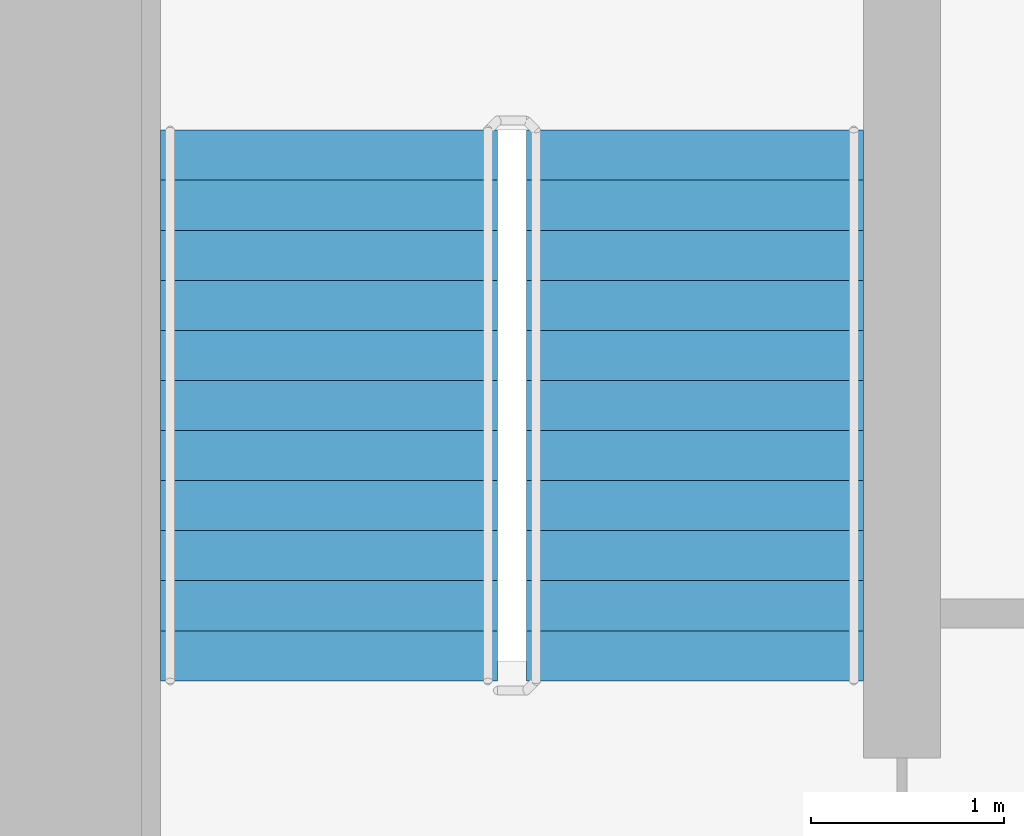
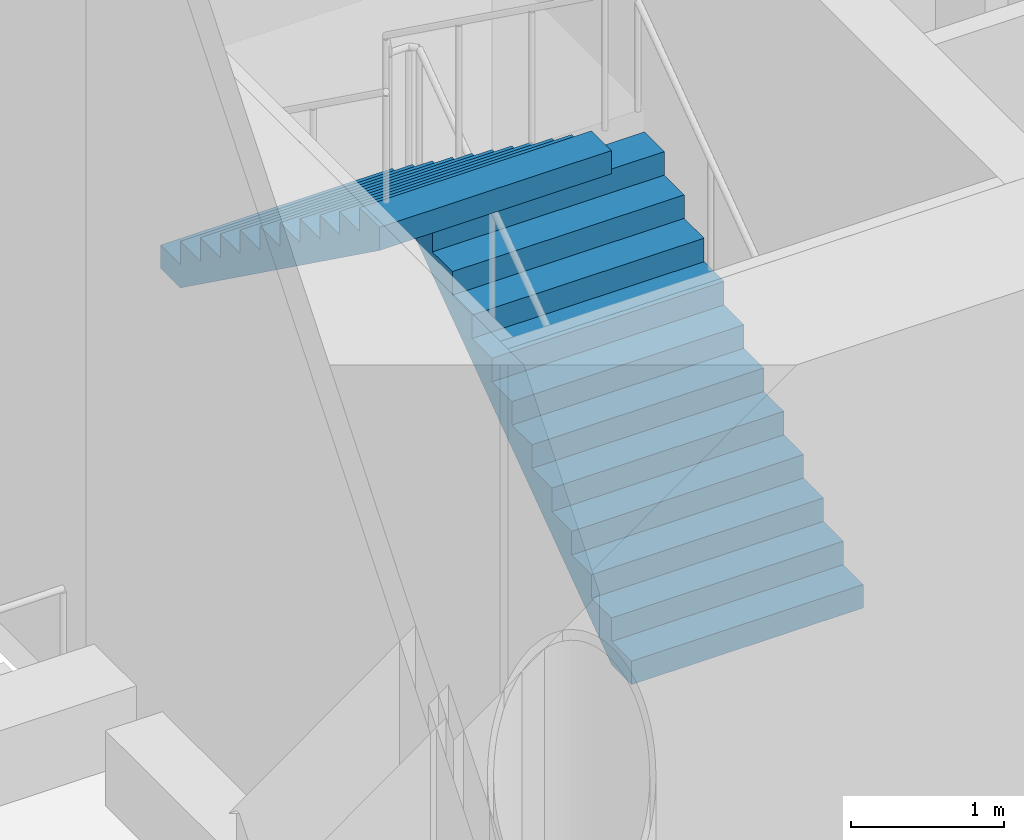
# One storey, part 22 of 27: 2 stair flights, 1 element without a shape of its own.
"""IFC4 building model written with IfcOpenShell, lengths in metres."""

from ifc_helpers import new_model, si_unit, direction, frame, origin, place, context, subcontext, project, spatial, faceted_brep, material, type_object, element, aggregate, save


model = new_model("IFC4")

# Units and contexts
model_context = context("Model", 3, precision=1e-05, world=origin(), true_north=direction((0.0, 1.0)))
body_context = subcontext(model_context, "Body", "Model", "MODEL_VIEW")
ifc_project = project(units=[si_unit("LENGTHUNIT", "METRE"), si_unit("AREAUNIT", "SQUARE_METRE"), si_unit("VOLUMEUNIT", "CUBIC_METRE"), si_unit("PLANEANGLEUNIT", "RADIAN"), si_unit("MASSUNIT", "GRAM", prefix="KILO")], contexts=[model_context])

# Site, building, storey
site_placement = place(None, origin())
site = spatial("IfcSite", under=ifc_project, at=site_placement, CompositionType="ELEMENT")
building_placement = place(site_placement, origin())
building = spatial("IfcBuilding", under=site, at=building_placement, Name="Ipe Terrace Towers", CompositionType="ELEMENT")
storey_placement = place(building_placement, frame((0.0, 0.0, 72.10009765625)))
storey = spatial("IfcBuildingStorey", under=building, at=storey_placement, Name="L19", CompositionType="ELEMENT", Elevation=72.10009765625)

# Stair, stair flights
ifc_material_1 = material(Name="Concrete C30/37", Category="concrete")
stair_type = type_object("IfcStairType", Name="Protected exit stair", PredefinedType="HALF_TURN_STAIR", material=ifc_material_1)
stair_placement = place(storey_placement, origin())
stair = element("IfcStair", 1, at=stair_placement, inside=storey, type_object=stair_type, Name="L19 Exit stair T2-C1", PredefinedType="HALF_TURN_STAIR")
ifc_material_2 = material(Name="Concrete C30/37", Category="concrete")
stair_flight_type = type_object("IfcStairFlightType", Name="Exit stair flight 1750", PredefinedType="STRAIGHT", material=ifc_material_2)
stair_flight_1_placement = place(storey_placement, frame((33.22509765625, 9.699951171875, 0.0), z_axis=(0.0, 0.0, 1.0), x_axis=(0.0, 1.0, 0.0)))
stair_flight_1 = element("IfcStairFlight", 2, at=stair_flight_1_placement, type_object=stair_flight_type, Name="T2-ST1 flight 1", NumberOfRisers=12, NumberOfTreads=11, PredefinedType="STRAIGHT", RiserHeight=0.1875, TreadLength=0.26, context=body_context, shape_type="Brep", body=[
    faceted_brep([(0.25634765625, -0.875, 0.0), (2.860107421875, -0.875, 1.877685546875), (2.860107421875, -0.875, 2.0625), (2.60009765625, -0.875, 2.0625), (2.60009765625, -0.875, 1.875), (2.340087890625, -0.875, 1.875), (2.340087890625, -0.875, 1.6875), (2.080078125, -0.875, 1.6875), (2.080078125, -0.875, 1.5), (1.820068359375, -0.875, 1.5), (1.820068359375, -0.875, 1.3125), (1.56005859375, -0.875, 1.3125), (1.56005859375, -0.875, 1.125), (1.300048828125, -0.875, 1.125), (1.300048828125, -0.875, 0.9375), (1.0400390625, -0.875, 0.9375), (1.0400390625, -0.875, 0.75), (0.780029296875, -0.875, 0.75), (0.780029296875, -0.875, 0.5625), (0.52001953125, -0.875, 0.5625), (0.52001953125, -0.875, 0.375), (0.260009765625, -0.875, 0.375), (0.260009765625, -0.875, 0.1875), (0.0, -0.875, 0.1875), (0.0, -0.875, 0.0), (0.0, 0.875, 0.0), (0.0, 0.875, 0.1875), (0.260009765625, 0.875, 0.1875), (0.260009765625, 0.875, 0.375), (0.52001953125, 0.875, 0.375), (0.52001953125, 0.875, 0.5625), (0.780029296875, 0.875, 0.5625), (0.780029296875, 0.875, 0.75), (1.0400390625, 0.875, 0.75), (1.0400390625, 0.875, 0.9375), (1.300048828125, 0.875, 0.9375), (1.300048828125, 0.875, 1.125), (1.56005859375, 0.875, 1.125), (1.56005859375, 0.875, 1.3125), (1.820068359375, 0.875, 1.3125), (1.820068359375, 0.875, 1.5), (2.080078125, 0.875, 1.5), (2.080078125, 0.875, 1.6875), (2.340087890625, 0.875, 1.6875), (2.340087890625, 0.875, 1.875), (2.60009765625, 0.875, 1.875), (2.60009765625, 0.875, 2.0625), (2.860107421875, 0.875, 2.0625), (2.860107421875, 0.875, 1.877685546875), (0.25634765625, 0.875, 0.0), (0.0, -0.300048828125, 0.1875), (0.0, -0.1201171875, 0.1875), (0.0, -0.06005859375, 0.1875), (0.0, -0.030029296875, 0.1875), (0.0, -0.010009765625, 0.1875), (0.0, 0.0, 0.1875), (0.0, 0.010009765625, 0.1875), (0.0, 0.030029296875, 0.1875), (0.0, 0.06005859375, 0.1875), (0.0, 0.1201171875, 0.1875), (0.0, 0.300048828125, 0.1875), (0.0, 0.300048828125, 0.0), (0.0, 0.1201171875, 0.0), (0.0, 0.06005859375, 0.0), (0.0, 0.030029296875, 0.0), (0.0, 0.010009765625, 0.0), (0.0, 0.0, 0.0), (0.0, -0.010009765625, 0.0), (0.0, -0.030029296875, 0.0), (0.0, -0.06005859375, 0.0), (0.0, -0.1201171875, 0.0), (0.0, -0.300048828125, 0.0), (0.260009765625, -0.300048828125, 0.1875), (0.260009765625, -0.1201171875, 0.1875), (0.260009765625, -0.06005859375, 0.1875), (0.260009765625, -0.030029296875, 0.1875), (0.260009765625, -0.010009765625, 0.1875), (0.260009765625, 0.0, 0.1875), (0.260009765625, 0.010009765625, 0.1875), (0.260009765625, 0.030029296875, 0.1875), (0.260009765625, 0.06005859375, 0.1875), (0.260009765625, 0.1201171875, 0.1875), (0.260009765625, 0.300048828125, 0.1875), (0.260009765625, -0.300048828125, 0.375), (0.260009765625, -0.1201171875, 0.375), (0.260009765625, -0.06005859375, 0.375), (0.260009765625, -0.030029296875, 0.375), (0.260009765625, -0.010009765625, 0.375), (0.260009765625, 0.0, 0.375), (0.260009765625, 0.010009765625, 0.375), (0.260009765625, 0.030029296875, 0.375), (0.260009765625, 0.06005859375, 0.375), (0.260009765625, 0.1201171875, 0.375), (0.260009765625, 0.300048828125, 0.375), (0.52001953125, -0.300048828125, 0.375), (0.52001953125, -0.1201171875, 0.375), (0.52001953125, -0.06005859375, 0.375), (0.52001953125, -0.030029296875, 0.375), (0.52001953125, -0.010009765625, 0.375), (0.52001953125, 0.0, 0.375), (0.52001953125, 0.010009765625, 0.375), (0.52001953125, 0.030029296875, 0.375), (0.52001953125, 0.06005859375, 0.375), (0.52001953125, 0.1201171875, 0.375), (0.52001953125, 0.300048828125, 0.375), (0.52001953125, -0.300048828125, 0.5625), (0.52001953125, -0.1201171875, 0.5625), (0.52001953125, -0.06005859375, 0.5625), (0.52001953125, -0.030029296875, 0.5625), (0.52001953125, -0.010009765625, 0.5625), (0.52001953125, 0.0, 0.5625), (0.52001953125, 0.010009765625, 0.5625), (0.52001953125, 0.030029296875, 0.5625), (0.52001953125, 0.06005859375, 0.5625), (0.52001953125, 0.1201171875, 0.5625), (0.52001953125, 0.300048828125, 0.5625), (0.780029296875, -0.300048828125, 0.5625), (0.780029296875, -0.1201171875, 0.5625), (0.780029296875, -0.06005859375, 0.5625), (0.780029296875, -0.030029296875, 0.5625), (0.780029296875, -0.010009765625, 0.5625), (0.780029296875, 0.0, 0.5625), (0.780029296875, 0.010009765625, 0.5625), (0.780029296875, 0.030029296875, 0.5625), (0.780029296875, 0.06005859375, 0.5625), (0.780029296875, 0.1201171875, 0.5625), (0.780029296875, 0.300048828125, 0.5625), (0.780029296875, -0.300048828125, 0.75), (0.780029296875, -0.1201171875, 0.75), (0.780029296875, -0.06005859375, 0.75), (0.780029296875, -0.030029296875, 0.75), (0.780029296875, -0.010009765625, 0.75), (0.780029296875, 0.0, 0.75), (0.780029296875, 0.010009765625, 0.75), (0.780029296875, 0.030029296875, 0.75), (0.780029296875, 0.06005859375, 0.75), (0.780029296875, 0.1201171875, 0.75), (0.780029296875, 0.300048828125, 0.75), (1.0400390625, -0.300048828125, 0.75), (1.0400390625, -0.1201171875, 0.75), (1.0400390625, -0.06005859375, 0.75), (1.0400390625, -0.030029296875, 0.75), (1.0400390625, -0.010009765625, 0.75), (1.0400390625, 0.0, 0.75), (1.0400390625, 0.010009765625, 0.75), (1.0400390625, 0.030029296875, 0.75), (1.0400390625, 0.06005859375, 0.75), (1.0400390625, 0.1201171875, 0.75), (1.0400390625, 0.300048828125, 0.75), (1.0400390625, -0.300048828125, 0.9375), (1.0400390625, -0.1201171875, 0.9375), (1.0400390625, -0.06005859375, 0.9375), (1.0400390625, -0.030029296875, 0.9375), (1.0400390625, -0.010009765625, 0.9375), (1.0400390625, 0.0, 0.9375), (1.0400390625, 0.010009765625, 0.9375), (1.0400390625, 0.030029296875, 0.9375), (1.0400390625, 0.06005859375, 0.9375), (1.0400390625, 0.1201171875, 0.9375), (1.0400390625, 0.300048828125, 0.9375), (1.300048828125, -0.300048828125, 0.9375), (1.300048828125, -0.1201171875, 0.9375), (1.300048828125, -0.06005859375, 0.9375), (1.300048828125, -0.030029296875, 0.9375), (1.300048828125, -0.010009765625, 0.9375), (1.300048828125, 0.0, 0.9375), (1.300048828125, 0.010009765625, 0.9375), (1.300048828125, 0.030029296875, 0.9375), (1.300048828125, 0.06005859375, 0.9375), (1.300048828125, 0.1201171875, 0.9375), (1.300048828125, 0.300048828125, 0.9375), (1.300048828125, -0.300048828125, 1.125), (1.300048828125, -0.1201171875, 1.125), (1.300048828125, -0.06005859375, 1.125), (1.300048828125, -0.030029296875, 1.125), (1.300048828125, -0.010009765625, 1.125), (1.300048828125, 0.0, 1.125), (1.300048828125, 0.010009765625, 1.125), (1.300048828125, 0.030029296875, 1.125), (1.300048828125, 0.06005859375, 1.125), (1.300048828125, 0.1201171875, 1.125), (1.300048828125, 0.300048828125, 1.125), (1.56005859375, -0.300048828125, 1.125), (1.56005859375, -0.1201171875, 1.125), (1.56005859375, -0.06005859375, 1.125), (1.56005859375, -0.030029296875, 1.125), (1.56005859375, -0.010009765625, 1.125), (1.56005859375, 0.0, 1.125), (1.56005859375, 0.010009765625, 1.125), (1.56005859375, 0.030029296875, 1.125), (1.56005859375, 0.06005859375, 1.125), (1.56005859375, 0.1201171875, 1.125), (1.56005859375, 0.300048828125, 1.125), (1.56005859375, -0.300048828125, 1.3125), (1.56005859375, -0.1201171875, 1.3125), (1.56005859375, -0.06005859375, 1.3125), (1.56005859375, -0.030029296875, 1.3125), (1.56005859375, -0.010009765625, 1.3125), (1.56005859375, 0.0, 1.3125), (1.56005859375, 0.010009765625, 1.3125), (1.56005859375, 0.030029296875, 1.3125), (1.56005859375, 0.06005859375, 1.3125), (1.56005859375, 0.1201171875, 1.3125), (1.56005859375, 0.300048828125, 1.3125), (1.820068359375, -0.300048828125, 1.3125), (1.820068359375, -0.1201171875, 1.3125), (1.820068359375, -0.06005859375, 1.3125), (1.820068359375, -0.030029296875, 1.3125), (1.820068359375, -0.010009765625, 1.3125), (1.820068359375, 0.0, 1.3125), (1.820068359375, 0.010009765625, 1.3125), (1.820068359375, 0.030029296875, 1.3125), (1.820068359375, 0.06005859375, 1.3125), (1.820068359375, 0.1201171875, 1.3125), (1.820068359375, 0.300048828125, 1.3125), (1.820068359375, -0.300048828125, 1.5), (1.820068359375, -0.1201171875, 1.5), (1.820068359375, -0.06005859375, 1.5), (1.820068359375, -0.030029296875, 1.5), (1.820068359375, -0.010009765625, 1.5), (1.820068359375, 0.0, 1.5), (1.820068359375, 0.010009765625, 1.5), (1.820068359375, 0.030029296875, 1.5), (1.820068359375, 0.06005859375, 1.5), (1.820068359375, 0.1201171875, 1.5), (1.820068359375, 0.300048828125, 1.5), (2.080078125, -0.300048828125, 1.5), (2.080078125, -0.1201171875, 1.5), (2.080078125, -0.06005859375, 1.5), (2.080078125, -0.030029296875, 1.5), (2.080078125, -0.010009765625, 1.5), (2.080078125, 0.0, 1.5), (2.080078125, 0.010009765625, 1.5), (2.080078125, 0.030029296875, 1.5), (2.080078125, 0.06005859375, 1.5), (2.080078125, 0.1201171875, 1.5), (2.080078125, 0.300048828125, 1.5), (2.080078125, -0.300048828125, 1.6875), (2.080078125, -0.1201171875, 1.6875), (2.080078125, -0.06005859375, 1.6875), (2.080078125, -0.030029296875, 1.6875), (2.080078125, -0.010009765625, 1.6875), (2.080078125, 0.0, 1.6875), (2.080078125, 0.010009765625, 1.6875), (2.080078125, 0.030029296875, 1.6875), (2.080078125, 0.06005859375, 1.6875), (2.080078125, 0.1201171875, 1.6875), (2.080078125, 0.300048828125, 1.6875), (2.340087890625, -0.300048828125, 1.6875), (2.340087890625, -0.1201171875, 1.6875), (2.340087890625, -0.06005859375, 1.6875), (2.340087890625, -0.030029296875, 1.6875), (2.340087890625, -0.010009765625, 1.6875), (2.340087890625, 0.0, 1.6875), (2.340087890625, 0.010009765625, 1.6875), (2.340087890625, 0.030029296875, 1.6875), (2.340087890625, 0.06005859375, 1.6875), (2.340087890625, 0.1201171875, 1.6875), (2.340087890625, 0.300048828125, 1.6875), (2.340087890625, -0.300048828125, 1.875), (2.340087890625, -0.1201171875, 1.875), (2.340087890625, -0.06005859375, 1.875), (2.340087890625, -0.030029296875, 1.875), (2.340087890625, -0.010009765625, 1.875), (2.340087890625, 0.0, 1.875), (2.340087890625, 0.010009765625, 1.875), (2.340087890625, 0.030029296875, 1.875), (2.340087890625, 0.06005859375, 1.875), (2.340087890625, 0.1201171875, 1.875), (2.340087890625, 0.300048828125, 1.875), (2.60009765625, -0.300048828125, 1.875), (2.60009765625, -0.1201171875, 1.875), (2.60009765625, -0.06005859375, 1.875), (2.60009765625, -0.030029296875, 1.875), (2.60009765625, -0.010009765625, 1.875), (2.60009765625, 0.0, 1.875), (2.60009765625, 0.010009765625, 1.875), (2.60009765625, 0.030029296875, 1.875), (2.60009765625, 0.06005859375, 1.875), (2.60009765625, 0.1201171875, 1.875), (2.60009765625, 0.300048828125, 1.875), (2.60009765625, -0.300048828125, 2.0625), (2.60009765625, -0.1201171875, 2.0625), (2.60009765625, -0.06005859375, 2.0625), (2.60009765625, -0.030029296875, 2.0625), (2.60009765625, -0.010009765625, 2.0625), (2.60009765625, 0.0, 2.0625), (2.60009765625, 0.010009765625, 2.0625), (2.60009765625, 0.030029296875, 2.0625), (2.60009765625, 0.06005859375, 2.0625), (2.60009765625, 0.1201171875, 2.0625), (2.60009765625, 0.300048828125, 2.0625), (2.860107421875, -0.300048828125, 2.0625), (2.860107421875, -0.1201171875, 2.0625), (2.860107421875, -0.06005859375, 2.0625), (2.860107421875, -0.030029296875, 2.0625), (2.860107421875, -0.010009765625, 2.0625), (2.860107421875, 0.0, 2.0625), (2.860107421875, 0.010009765625, 2.0625), (2.860107421875, 0.030029296875, 2.0625), (2.860107421875, 0.06005859375, 2.0625), (2.860107421875, 0.1201171875, 2.0625), (2.860107421875, 0.300048828125, 2.0625), (2.860107421875, -0.300048828125, 1.877685546875), (2.860107421875, -0.1201171875, 1.877685546875), (2.860107421875, -0.06005859375, 1.877685546875), (2.860107421875, -0.030029296875, 1.877685546875), (2.860107421875, -0.010009765625, 1.877685546875), (2.860107421875, 0.0, 1.877685546875), (2.860107421875, 0.010009765625, 1.877685546875), (2.860107421875, 0.030029296875, 1.877685546875), (2.860107421875, 0.06005859375, 1.877685546875), (2.860107421875, 0.1201171875, 1.877685546875), (2.860107421875, 0.300048828125, 1.877685546875), (0.25634765625, -0.300048828125, 0.0), (0.25634765625, -0.1201171875, 0.0), (0.25634765625, -0.06005859375, 0.0), (0.25634765625, -0.030029296875, 0.0), (0.25634765625, -0.010009765625, 0.0), (0.25634765625, 0.0, 0.0), (0.25634765625, 0.010009765625, 0.0), (0.25634765625, 0.030029296875, 0.0), (0.25634765625, 0.06005859375, 0.0), (0.25634765625, 0.1201171875, 0.0), (0.25634765625, 0.300048828125, 0.0)], [[[0, 1, 2, 3, 4, 5, 6, 7, 8, 9, 10, 11, 12, 13, 14, 15, 16, 17, 18, 19, 20, 21, 22, 23, 24]], [[25, 26, 27, 28, 29, 30, 31, 32, 33, 34, 35, 36, 37, 38, 39, 40, 41, 42, 43, 44, 45, 46, 47, 48, 49]], [[23, 50, 51, 52, 53, 54, 55, 56, 57, 58, 59, 60, 26, 25, 61, 62, 63, 64, 65, 66, 67, 68, 69, 70, 71, 24]], [[22, 72, 73, 74, 75, 76, 77, 78, 79, 80, 81, 82, 27, 26, 60, 59, 58, 57, 56, 55, 54, 53, 52, 51, 50, 23]], [[21, 83, 84, 85, 86, 87, 88, 89, 90, 91, 92, 93, 28, 27, 82, 81, 80, 79, 78, 77, 76, 75, 74, 73, 72, 22]], [[20, 94, 95, 96, 97, 98, 99, 100, 101, 102, 103, 104, 29, 28, 93, 92, 91, 90, 89, 88, 87, 86, 85, 84, 83, 21]], [[19, 105, 106, 107, 108, 109, 110, 111, 112, 113, 114, 115, 30, 29, 104, 103, 102, 101, 100, 99, 98, 97, 96, 95, 94, 20]], [[18, 116, 117, 118, 119, 120, 121, 122, 123, 124, 125, 126, 31, 30, 115, 114, 113, 112, 111, 110, 109, 108, 107, 106, 105, 19]], [[17, 127, 128, 129, 130, 131, 132, 133, 134, 135, 136, 137, 32, 31, 126, 125, 124, 123, 122, 121, 120, 119, 118, 117, 116, 18]], [[16, 138, 139, 140, 141, 142, 143, 144, 145, 146, 147, 148, 33, 32, 137, 136, 135, 134, 133, 132, 131, 130, 129, 128, 127, 17]], [[15, 149, 150, 151, 152, 153, 154, 155, 156, 157, 158, 159, 34, 33, 148, 147, 146, 145, 144, 143, 142, 141, 140, 139, 138, 16]], [[14, 160, 161, 162, 163, 164, 165, 166, 167, 168, 169, 170, 35, 34, 159, 158, 157, 156, 155, 154, 153, 152, 151, 150, 149, 15]], [[13, 171, 172, 173, 174, 175, 176, 177, 178, 179, 180, 181, 36, 35, 170, 169, 168, 167, 166, 165, 164, 163, 162, 161, 160, 14]], [[12, 182, 183, 184, 185, 186, 187, 188, 189, 190, 191, 192, 37, 36, 181, 180, 179, 178, 177, 176, 175, 174, 173, 172, 171, 13]], [[11, 193, 194, 195, 196, 197, 198, 199, 200, 201, 202, 203, 38, 37, 192, 191, 190, 189, 188, 187, 186, 185, 184, 183, 182, 12]], [[10, 204, 205, 206, 207, 208, 209, 210, 211, 212, 213, 214, 39, 38, 203, 202, 201, 200, 199, 198, 197, 196, 195, 194, 193, 11]], [[9, 215, 216, 217, 218, 219, 220, 221, 222, 223, 224, 225, 40, 39, 214, 213, 212, 211, 210, 209, 208, 207, 206, 205, 204, 10]], [[8, 226, 227, 228, 229, 230, 231, 232, 233, 234, 235, 236, 41, 40, 225, 224, 223, 222, 221, 220, 219, 218, 217, 216, 215, 9]], [[7, 237, 238, 239, 240, 241, 242, 243, 244, 245, 246, 247, 42, 41, 236, 235, 234, 233, 232, 231, 230, 229, 228, 227, 226, 8]], [[6, 248, 249, 250, 251, 252, 253, 254, 255, 256, 257, 258, 43, 42, 247, 246, 245, 244, 243, 242, 241, 240, 239, 238, 237, 7]], [[5, 259, 260, 261, 262, 263, 264, 265, 266, 267, 268, 269, 44, 43, 258, 257, 256, 255, 254, 253, 252, 251, 250, 249, 248, 6]], [[4, 270, 271, 272, 273, 274, 275, 276, 277, 278, 279, 280, 45, 44, 269, 268, 267, 266, 265, 264, 263, 262, 261, 260, 259, 5]], [[3, 281, 282, 283, 284, 285, 286, 287, 288, 289, 290, 291, 46, 45, 280, 279, 278, 277, 276, 275, 274, 273, 272, 271, 270, 4]], [[2, 292, 293, 294, 295, 296, 297, 298, 299, 300, 301, 302, 47, 46, 291, 290, 289, 288, 287, 286, 285, 284, 283, 282, 281, 3]], [[1, 303, 304, 305, 306, 307, 308, 309, 310, 311, 312, 313, 48, 47, 302, 301, 300, 299, 298, 297, 296, 295, 294, 293, 292, 2]], [[0, 314, 315, 316, 317, 318, 319, 320, 321, 322, 323, 324, 49, 48, 313, 312, 311, 310, 309, 308, 307, 306, 305, 304, 303, 1]], [[24, 71, 70, 69, 68, 67, 66, 65, 64, 63, 62, 61, 25, 49, 324, 323, 322, 321, 320, 319, 318, 317, 316, 315, 314, 0]]]),
])
stair_flight_2_placement = place(storey_placement, frame((31.324951171875, 12.56005859375, 2.25), z_axis=(0.0, 0.0, 1.0), x_axis=(0.0, -1.0, 0.0)))
stair_flight_2 = element("IfcStairFlight", 3, at=stair_flight_2_placement, type_object=stair_flight_type, Name="T2-ST1 flight 2", NumberOfRisers=12, NumberOfTreads=11, PredefinedType="STRAIGHT", RiserHeight=0.1875, TreadLength=0.26, context=body_context, shape_type="Brep", body=[
    faceted_brep([(0.25634765625, -0.875, 0.0), (2.860107421875, -0.875, 1.877685546875), (2.860107421875, -0.875, 2.0625), (2.60009765625, -0.875, 2.0625), (2.60009765625, -0.875, 1.875), (2.340087890625, -0.875, 1.875), (2.340087890625, -0.875, 1.6875), (2.080078125, -0.875, 1.6875), (2.080078125, -0.875, 1.5), (1.820068359375, -0.875, 1.5), (1.820068359375, -0.875, 1.3125), (1.56005859375, -0.875, 1.3125), (1.56005859375, -0.875, 1.125), (1.300048828125, -0.875, 1.125), (1.300048828125, -0.875, 0.9375), (1.0400390625, -0.875, 0.9375), (1.0400390625, -0.875, 0.75), (0.780029296875, -0.875, 0.75), (0.780029296875, -0.875, 0.5625), (0.52001953125, -0.875, 0.5625), (0.52001953125, -0.875, 0.375), (0.260009765625, -0.875, 0.375), (0.260009765625, -0.875, 0.1875), (0.0, -0.875, 0.1875), (0.0, -0.875, 0.0), (0.0, 0.875, 0.0), (0.0, 0.875, 0.1875), (0.260009765625, 0.875, 0.1875), (0.260009765625, 0.875, 0.375), (0.52001953125, 0.875, 0.375), (0.52001953125, 0.875, 0.5625), (0.780029296875, 0.875, 0.5625), (0.780029296875, 0.875, 0.75), (1.0400390625, 0.875, 0.75), (1.0400390625, 0.875, 0.9375), (1.300048828125, 0.875, 0.9375), (1.300048828125, 0.875, 1.125), (1.56005859375, 0.875, 1.125), (1.56005859375, 0.875, 1.3125), (1.820068359375, 0.875, 1.3125), (1.820068359375, 0.875, 1.5), (2.080078125, 0.875, 1.5), (2.080078125, 0.875, 1.6875), (2.340087890625, 0.875, 1.6875), (2.340087890625, 0.875, 1.875), (2.60009765625, 0.875, 1.875), (2.60009765625, 0.875, 2.0625), (2.860107421875, 0.875, 2.0625), (2.860107421875, 0.875, 1.877685546875), (0.25634765625, 0.875, 0.0), (0.0, -0.300048828125, 0.1875), (0.0, -0.1201171875, 0.1875), (0.0, -0.06005859375, 0.1875), (0.0, -0.030029296875, 0.1875), (0.0, -0.010009765625, 0.1875), (0.0, 0.0, 0.1875), (0.0, 0.010009765625, 0.1875), (0.0, 0.030029296875, 0.1875), (0.0, 0.06005859375, 0.1875), (0.0, 0.1201171875, 0.1875), (0.0, 0.300048828125, 0.1875), (0.0, 0.300048828125, 0.0), (0.0, 0.1201171875, 0.0), (0.0, 0.06005859375, 0.0), (0.0, 0.030029296875, 0.0), (0.0, 0.010009765625, 0.0), (0.0, 0.0, 0.0), (0.0, -0.010009765625, 0.0), (0.0, -0.030029296875, 0.0), (0.0, -0.06005859375, 0.0), (0.0, -0.1201171875, 0.0), (0.0, -0.300048828125, 0.0), (0.260009765625, -0.300048828125, 0.1875), (0.260009765625, -0.1201171875, 0.1875), (0.260009765625, -0.06005859375, 0.1875), (0.260009765625, -0.030029296875, 0.1875), (0.260009765625, -0.010009765625, 0.1875), (0.260009765625, 0.0, 0.1875), (0.260009765625, 0.010009765625, 0.1875), (0.260009765625, 0.030029296875, 0.1875), (0.260009765625, 0.06005859375, 0.1875), (0.260009765625, 0.1201171875, 0.1875), (0.260009765625, 0.300048828125, 0.1875), (0.260009765625, -0.300048828125, 0.375), (0.260009765625, -0.1201171875, 0.375), (0.260009765625, -0.06005859375, 0.375), (0.260009765625, -0.030029296875, 0.375), (0.260009765625, -0.010009765625, 0.375), (0.260009765625, 0.0, 0.375), (0.260009765625, 0.010009765625, 0.375), (0.260009765625, 0.030029296875, 0.375), (0.260009765625, 0.06005859375, 0.375), (0.260009765625, 0.1201171875, 0.375), (0.260009765625, 0.300048828125, 0.375), (0.52001953125, -0.300048828125, 0.375), (0.52001953125, -0.1201171875, 0.375), (0.52001953125, -0.06005859375, 0.375), (0.52001953125, -0.030029296875, 0.375), (0.52001953125, -0.010009765625, 0.375), (0.52001953125, 0.0, 0.375), (0.52001953125, 0.010009765625, 0.375), (0.52001953125, 0.030029296875, 0.375), (0.52001953125, 0.06005859375, 0.375), (0.52001953125, 0.1201171875, 0.375), (0.52001953125, 0.300048828125, 0.375), (0.52001953125, -0.300048828125, 0.5625), (0.52001953125, -0.1201171875, 0.5625), (0.52001953125, -0.06005859375, 0.5625), (0.52001953125, -0.030029296875, 0.5625), (0.52001953125, -0.010009765625, 0.5625), (0.52001953125, 0.0, 0.5625), (0.52001953125, 0.010009765625, 0.5625), (0.52001953125, 0.030029296875, 0.5625), (0.52001953125, 0.06005859375, 0.5625), (0.52001953125, 0.1201171875, 0.5625), (0.52001953125, 0.300048828125, 0.5625), (0.780029296875, -0.300048828125, 0.5625), (0.780029296875, -0.1201171875, 0.5625), (0.780029296875, -0.06005859375, 0.5625), (0.780029296875, -0.030029296875, 0.5625), (0.780029296875, -0.010009765625, 0.5625), (0.780029296875, 0.0, 0.5625), (0.780029296875, 0.010009765625, 0.5625), (0.780029296875, 0.030029296875, 0.5625), (0.780029296875, 0.06005859375, 0.5625), (0.780029296875, 0.1201171875, 0.5625), (0.780029296875, 0.300048828125, 0.5625), (0.780029296875, -0.300048828125, 0.75), (0.780029296875, -0.1201171875, 0.75), (0.780029296875, -0.06005859375, 0.75), (0.780029296875, -0.030029296875, 0.75), (0.780029296875, -0.010009765625, 0.75), (0.780029296875, 0.0, 0.75), (0.780029296875, 0.010009765625, 0.75), (0.780029296875, 0.030029296875, 0.75), (0.780029296875, 0.06005859375, 0.75), (0.780029296875, 0.1201171875, 0.75), (0.780029296875, 0.300048828125, 0.75), (1.0400390625, -0.300048828125, 0.75), (1.0400390625, -0.1201171875, 0.75), (1.0400390625, -0.06005859375, 0.75), (1.0400390625, -0.030029296875, 0.75), (1.0400390625, -0.010009765625, 0.75), (1.0400390625, 0.0, 0.75), (1.0400390625, 0.010009765625, 0.75), (1.0400390625, 0.030029296875, 0.75), (1.0400390625, 0.06005859375, 0.75), (1.0400390625, 0.1201171875, 0.75), (1.0400390625, 0.300048828125, 0.75), (1.0400390625, -0.300048828125, 0.9375), (1.0400390625, -0.1201171875, 0.9375), (1.0400390625, -0.06005859375, 0.9375), (1.0400390625, -0.030029296875, 0.9375), (1.0400390625, -0.010009765625, 0.9375), (1.0400390625, 0.0, 0.9375), (1.0400390625, 0.010009765625, 0.9375), (1.0400390625, 0.030029296875, 0.9375), (1.0400390625, 0.06005859375, 0.9375), (1.0400390625, 0.1201171875, 0.9375), (1.0400390625, 0.300048828125, 0.9375), (1.300048828125, -0.300048828125, 0.9375), (1.300048828125, -0.1201171875, 0.9375), (1.300048828125, -0.06005859375, 0.9375), (1.300048828125, -0.030029296875, 0.9375), (1.300048828125, -0.010009765625, 0.9375), (1.300048828125, 0.0, 0.9375), (1.300048828125, 0.010009765625, 0.9375), (1.300048828125, 0.030029296875, 0.9375), (1.300048828125, 0.06005859375, 0.9375), (1.300048828125, 0.1201171875, 0.9375), (1.300048828125, 0.300048828125, 0.9375), (1.300048828125, -0.300048828125, 1.125), (1.300048828125, -0.1201171875, 1.125), (1.300048828125, -0.06005859375, 1.125), (1.300048828125, -0.030029296875, 1.125), (1.300048828125, -0.010009765625, 1.125), (1.300048828125, 0.0, 1.125), (1.300048828125, 0.010009765625, 1.125), (1.300048828125, 0.030029296875, 1.125), (1.300048828125, 0.06005859375, 1.125), (1.300048828125, 0.1201171875, 1.125), (1.300048828125, 0.300048828125, 1.125), (1.56005859375, -0.300048828125, 1.125), (1.56005859375, -0.1201171875, 1.125), (1.56005859375, -0.06005859375, 1.125), (1.56005859375, -0.030029296875, 1.125), (1.56005859375, -0.010009765625, 1.125), (1.56005859375, 0.0, 1.125), (1.56005859375, 0.010009765625, 1.125), (1.56005859375, 0.030029296875, 1.125), (1.56005859375, 0.06005859375, 1.125), (1.56005859375, 0.1201171875, 1.125), (1.56005859375, 0.300048828125, 1.125), (1.56005859375, -0.300048828125, 1.3125), (1.56005859375, -0.1201171875, 1.3125), (1.56005859375, -0.06005859375, 1.3125), (1.56005859375, -0.030029296875, 1.3125), (1.56005859375, -0.010009765625, 1.3125), (1.56005859375, 0.0, 1.3125), (1.56005859375, 0.010009765625, 1.3125), (1.56005859375, 0.030029296875, 1.3125), (1.56005859375, 0.06005859375, 1.3125), (1.56005859375, 0.1201171875, 1.3125), (1.56005859375, 0.300048828125, 1.3125), (1.820068359375, -0.300048828125, 1.3125), (1.820068359375, -0.1201171875, 1.3125), (1.820068359375, -0.06005859375, 1.3125), (1.820068359375, -0.030029296875, 1.3125), (1.820068359375, -0.010009765625, 1.3125), (1.820068359375, 0.0, 1.3125), (1.820068359375, 0.010009765625, 1.3125), (1.820068359375, 0.030029296875, 1.3125), (1.820068359375, 0.06005859375, 1.3125), (1.820068359375, 0.1201171875, 1.3125), (1.820068359375, 0.300048828125, 1.3125), (1.820068359375, -0.300048828125, 1.5), (1.820068359375, -0.1201171875, 1.5), (1.820068359375, -0.06005859375, 1.5), (1.820068359375, -0.030029296875, 1.5), (1.820068359375, -0.010009765625, 1.5), (1.820068359375, 0.0, 1.5), (1.820068359375, 0.010009765625, 1.5), (1.820068359375, 0.030029296875, 1.5), (1.820068359375, 0.06005859375, 1.5), (1.820068359375, 0.1201171875, 1.5), (1.820068359375, 0.300048828125, 1.5), (2.080078125, -0.300048828125, 1.5), (2.080078125, -0.1201171875, 1.5), (2.080078125, -0.06005859375, 1.5), (2.080078125, -0.030029296875, 1.5), (2.080078125, -0.010009765625, 1.5), (2.080078125, 0.0, 1.5), (2.080078125, 0.010009765625, 1.5), (2.080078125, 0.030029296875, 1.5), (2.080078125, 0.06005859375, 1.5), (2.080078125, 0.1201171875, 1.5), (2.080078125, 0.300048828125, 1.5), (2.080078125, -0.300048828125, 1.6875), (2.080078125, -0.1201171875, 1.6875), (2.080078125, -0.06005859375, 1.6875), (2.080078125, -0.030029296875, 1.6875), (2.080078125, -0.010009765625, 1.6875), (2.080078125, 0.0, 1.6875), (2.080078125, 0.010009765625, 1.6875), (2.080078125, 0.030029296875, 1.6875), (2.080078125, 0.06005859375, 1.6875), (2.080078125, 0.1201171875, 1.6875), (2.080078125, 0.300048828125, 1.6875), (2.340087890625, -0.300048828125, 1.6875), (2.340087890625, -0.1201171875, 1.6875), (2.340087890625, -0.06005859375, 1.6875), (2.340087890625, -0.030029296875, 1.6875), (2.340087890625, -0.010009765625, 1.6875), (2.340087890625, 0.0, 1.6875), (2.340087890625, 0.010009765625, 1.6875), (2.340087890625, 0.030029296875, 1.6875), (2.340087890625, 0.06005859375, 1.6875), (2.340087890625, 0.1201171875, 1.6875), (2.340087890625, 0.300048828125, 1.6875), (2.340087890625, -0.300048828125, 1.875), (2.340087890625, -0.1201171875, 1.875), (2.340087890625, -0.06005859375, 1.875), (2.340087890625, -0.030029296875, 1.875), (2.340087890625, -0.010009765625, 1.875), (2.340087890625, 0.0, 1.875), (2.340087890625, 0.010009765625, 1.875), (2.340087890625, 0.030029296875, 1.875), (2.340087890625, 0.06005859375, 1.875), (2.340087890625, 0.1201171875, 1.875), (2.340087890625, 0.300048828125, 1.875), (2.60009765625, -0.300048828125, 1.875), (2.60009765625, -0.1201171875, 1.875), (2.60009765625, -0.06005859375, 1.875), (2.60009765625, -0.030029296875, 1.875), (2.60009765625, -0.010009765625, 1.875), (2.60009765625, 0.0, 1.875), (2.60009765625, 0.010009765625, 1.875), (2.60009765625, 0.030029296875, 1.875), (2.60009765625, 0.06005859375, 1.875), (2.60009765625, 0.1201171875, 1.875), (2.60009765625, 0.300048828125, 1.875), (2.60009765625, -0.300048828125, 2.0625), (2.60009765625, -0.1201171875, 2.0625), (2.60009765625, -0.06005859375, 2.0625), (2.60009765625, -0.030029296875, 2.0625), (2.60009765625, -0.010009765625, 2.0625), (2.60009765625, 0.0, 2.0625), (2.60009765625, 0.010009765625, 2.0625), (2.60009765625, 0.030029296875, 2.0625), (2.60009765625, 0.06005859375, 2.0625), (2.60009765625, 0.1201171875, 2.0625), (2.60009765625, 0.300048828125, 2.0625), (2.860107421875, -0.300048828125, 2.0625), (2.860107421875, -0.1201171875, 2.0625), (2.860107421875, -0.06005859375, 2.0625), (2.860107421875, -0.030029296875, 2.0625), (2.860107421875, -0.010009765625, 2.0625), (2.860107421875, 0.0, 2.0625), (2.860107421875, 0.010009765625, 2.0625), (2.860107421875, 0.030029296875, 2.0625), (2.860107421875, 0.06005859375, 2.0625), (2.860107421875, 0.1201171875, 2.0625), (2.860107421875, 0.300048828125, 2.0625), (2.860107421875, -0.300048828125, 1.877685546875), (2.860107421875, -0.1201171875, 1.877685546875), (2.860107421875, -0.06005859375, 1.877685546875), (2.860107421875, -0.030029296875, 1.877685546875), (2.860107421875, -0.010009765625, 1.877685546875), (2.860107421875, 0.0, 1.877685546875), (2.860107421875, 0.010009765625, 1.877685546875), (2.860107421875, 0.030029296875, 1.877685546875), (2.860107421875, 0.06005859375, 1.877685546875), (2.860107421875, 0.1201171875, 1.877685546875), (2.860107421875, 0.300048828125, 1.877685546875), (0.25634765625, -0.300048828125, 0.0), (0.25634765625, -0.1201171875, 0.0), (0.25634765625, -0.06005859375, 0.0), (0.25634765625, -0.030029296875, 0.0), (0.25634765625, -0.010009765625, 0.0), (0.25634765625, 0.0, 0.0), (0.25634765625, 0.010009765625, 0.0), (0.25634765625, 0.030029296875, 0.0), (0.25634765625, 0.06005859375, 0.0), (0.25634765625, 0.1201171875, 0.0), (0.25634765625, 0.300048828125, 0.0)], [[[0, 1, 2, 3, 4, 5, 6, 7, 8, 9, 10, 11, 12, 13, 14, 15, 16, 17, 18, 19, 20, 21, 22, 23, 24]], [[25, 26, 27, 28, 29, 30, 31, 32, 33, 34, 35, 36, 37, 38, 39, 40, 41, 42, 43, 44, 45, 46, 47, 48, 49]], [[23, 50, 51, 52, 53, 54, 55, 56, 57, 58, 59, 60, 26, 25, 61, 62, 63, 64, 65, 66, 67, 68, 69, 70, 71, 24]], [[22, 72, 73, 74, 75, 76, 77, 78, 79, 80, 81, 82, 27, 26, 60, 59, 58, 57, 56, 55, 54, 53, 52, 51, 50, 23]], [[21, 83, 84, 85, 86, 87, 88, 89, 90, 91, 92, 93, 28, 27, 82, 81, 80, 79, 78, 77, 76, 75, 74, 73, 72, 22]], [[20, 94, 95, 96, 97, 98, 99, 100, 101, 102, 103, 104, 29, 28, 93, 92, 91, 90, 89, 88, 87, 86, 85, 84, 83, 21]], [[19, 105, 106, 107, 108, 109, 110, 111, 112, 113, 114, 115, 30, 29, 104, 103, 102, 101, 100, 99, 98, 97, 96, 95, 94, 20]], [[18, 116, 117, 118, 119, 120, 121, 122, 123, 124, 125, 126, 31, 30, 115, 114, 113, 112, 111, 110, 109, 108, 107, 106, 105, 19]], [[17, 127, 128, 129, 130, 131, 132, 133, 134, 135, 136, 137, 32, 31, 126, 125, 124, 123, 122, 121, 120, 119, 118, 117, 116, 18]], [[16, 138, 139, 140, 141, 142, 143, 144, 145, 146, 147, 148, 33, 32, 137, 136, 135, 134, 133, 132, 131, 130, 129, 128, 127, 17]], [[15, 149, 150, 151, 152, 153, 154, 155, 156, 157, 158, 159, 34, 33, 148, 147, 146, 145, 144, 143, 142, 141, 140, 139, 138, 16]], [[14, 160, 161, 162, 163, 164, 165, 166, 167, 168, 169, 170, 35, 34, 159, 158, 157, 156, 155, 154, 153, 152, 151, 150, 149, 15]], [[13, 171, 172, 173, 174, 175, 176, 177, 178, 179, 180, 181, 36, 35, 170, 169, 168, 167, 166, 165, 164, 163, 162, 161, 160, 14]], [[12, 182, 183, 184, 185, 186, 187, 188, 189, 190, 191, 192, 37, 36, 181, 180, 179, 178, 177, 176, 175, 174, 173, 172, 171, 13]], [[11, 193, 194, 195, 196, 197, 198, 199, 200, 201, 202, 203, 38, 37, 192, 191, 190, 189, 188, 187, 186, 185, 184, 183, 182, 12]], [[10, 204, 205, 206, 207, 208, 209, 210, 211, 212, 213, 214, 39, 38, 203, 202, 201, 200, 199, 198, 197, 196, 195, 194, 193, 11]], [[9, 215, 216, 217, 218, 219, 220, 221, 222, 223, 224, 225, 40, 39, 214, 213, 212, 211, 210, 209, 208, 207, 206, 205, 204, 10]], [[8, 226, 227, 228, 229, 230, 231, 232, 233, 234, 235, 236, 41, 40, 225, 224, 223, 222, 221, 220, 219, 218, 217, 216, 215, 9]], [[7, 237, 238, 239, 240, 241, 242, 243, 244, 245, 246, 247, 42, 41, 236, 235, 234, 233, 232, 231, 230, 229, 228, 227, 226, 8]], [[6, 248, 249, 250, 251, 252, 253, 254, 255, 256, 257, 258, 43, 42, 247, 246, 245, 244, 243, 242, 241, 240, 239, 238, 237, 7]], [[5, 259, 260, 261, 262, 263, 264, 265, 266, 267, 268, 269, 44, 43, 258, 257, 256, 255, 254, 253, 252, 251, 250, 249, 248, 6]], [[4, 270, 271, 272, 273, 274, 275, 276, 277, 278, 279, 280, 45, 44, 269, 268, 267, 266, 265, 264, 263, 262, 261, 260, 259, 5]], [[3, 281, 282, 283, 284, 285, 286, 287, 288, 289, 290, 291, 46, 45, 280, 279, 278, 277, 276, 275, 274, 273, 272, 271, 270, 4]], [[2, 292, 293, 294, 295, 296, 297, 298, 299, 300, 301, 302, 47, 46, 291, 290, 289, 288, 287, 286, 285, 284, 283, 282, 281, 3]], [[1, 303, 304, 305, 306, 307, 308, 309, 310, 311, 312, 313, 48, 47, 302, 301, 300, 299, 298, 297, 296, 295, 294, 293, 292, 2]], [[0, 314, 315, 316, 317, 318, 319, 320, 321, 322, 323, 324, 49, 48, 313, 312, 311, 310, 309, 308, 307, 306, 305, 304, 303, 1]], [[24, 71, 70, 69, 68, 67, 66, 65, 64, 63, 62, 61, 25, 49, 324, 323, 322, 321, 320, 319, 318, 317, 316, 315, 314, 0]]]),
])
aggregate(stair, [stair_flight_1, stair_flight_2])

save(model, "model.ifc")
